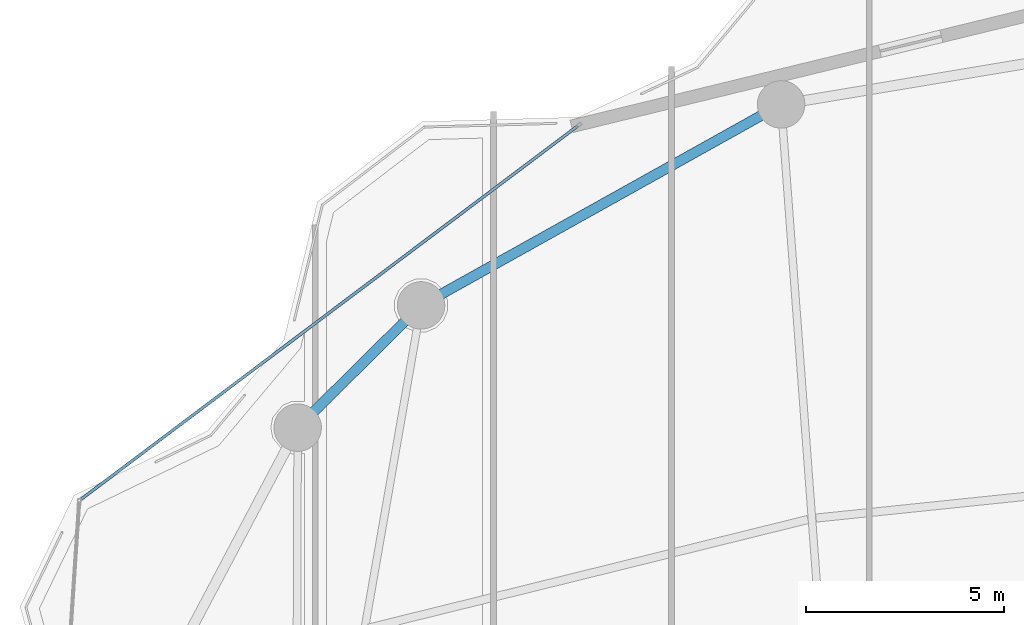
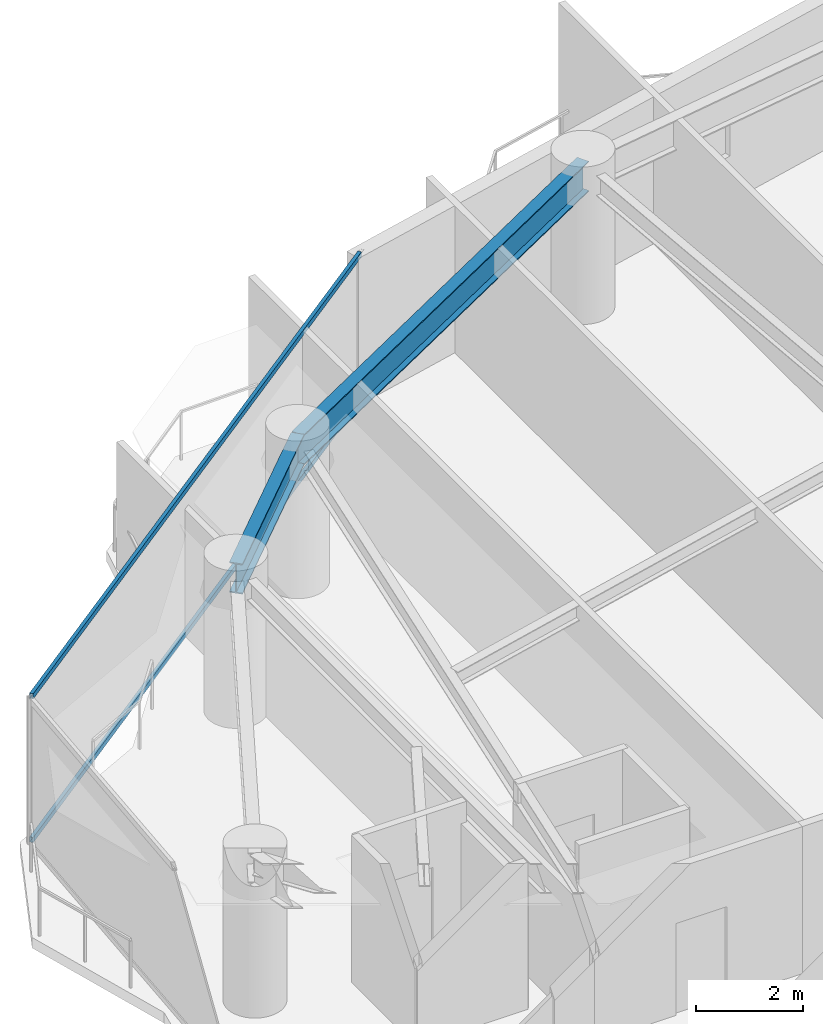
# One storey, part 17 of 30: 2 beams, 2 members, 1 element without a shape of its own.
"""IFC4 building model written with IfcOpenShell, lengths in metres."""

from ifc_helpers import new_model, si_unit, direction, frame, origin, origin_2d, place, context, subcontext, project, spatial, hollow_rectangle, i_section, extrude, material, layer, layer_set, material_profile, profile_set, type_object, element, aggregate, save


model = new_model("IFC4")

# Units and contexts
model_context = context("Model", 3, precision=1e-05, world=origin(), true_north=direction((0.0, 1.0)))
body_context = subcontext(model_context, "Body", "Model", "MODEL_VIEW")
ifc_project = project(units=[si_unit("LENGTHUNIT", "METRE"), si_unit("AREAUNIT", "SQUARE_METRE"), si_unit("VOLUMEUNIT", "CUBIC_METRE"), si_unit("PLANEANGLEUNIT", "RADIAN"), si_unit("MASSUNIT", "GRAM", prefix="KILO")], contexts=[model_context])

# Site, building, storey
site_placement = place(None, origin())
site = spatial("IfcSite", under=ifc_project, at=site_placement, CompositionType="ELEMENT")
building_placement = place(site_placement, origin())
building = spatial("IfcBuilding", under=site, at=building_placement, Name="Kazevale Care Tower and Concert Hall", CompositionType="ELEMENT")
storey_placement = place(building_placement, frame((0.0, 0.0, 127.800048828125)))
storey = spatial("IfcBuildingStorey", under=building, at=storey_placement, Name="L33", CompositionType="ELEMENT", Elevation=127.800048828125)

# Curtain wall, members
ifc_material_1 = material(Name="Aluminium 6063-T6 and Low-E Glass", Category="aluminium")
ifc_layer = layer(ifc_material_1, 0.179931640625)
ifc_layer_set = layer_set([ifc_layer], Name="Aluminium 6063-T6 and Low-E Glass")
curtain_wall_type = type_object("IfcCurtainWallType", Name="Convex Recessed Sunroom Curtain Wall CW-3", PredefinedType="NOTDEFINED", material=ifc_layer_set)
curtain_wall_placement = place(storey_placement, origin())
curtain_wall = element("IfcCurtainWall", 1, at=curtain_wall_placement, inside=storey, type_object=curtain_wall_type, Name="cw:L33:f14", PredefinedType="NOTDEFINED")
ifc_material_2 = material(Name="Aluminium 6063-T6", Category="aluminium")
ifc_material_profile_1 = material_profile(ifc_material_2, hollow_rectangle(XDim=0.074951171875, YDim=0.1201171875, WallThickness=0.00390625, at=origin_2d()), Name="ALU75x120x4")
ifc_profile_set_1 = profile_set([ifc_material_profile_1], Name="Aluminium 6063-T6")
member_type = type_object("IfcMemberType", Name="CW-3 Transom ALU75x120x4", PredefinedType="USERDEFINED", material=ifc_profile_set_1)
member_1_placement = place(storey_placement, frame((16.5888671875, 49.68994140625, 0.037353515625), z_axis=(0.79939444404, 0.600806560249, 0.0), x_axis=(-0.600806560249, 0.79939444404, 0.0)))
member_1 = element("IfcMember", 2, at=member_1_placement, type_object=member_type, Name="CW-3 transom 1.1", ObjectType="TRANSOM", PredefinedType="USERDEFINED", context=body_context, shape_type="SweptSolid", body=[
    extrude(hollow_rectangle(XDim=0.074951171875, YDim=0.1201171875, WallThickness=0.00390625, at=origin_2d()), origin(), (0.0, 0.0, 1.0), 15.685791015625),
])
member_2_placement = place(storey_placement, frame((16.5888671875, 49.68994140625, 3.322509765625), z_axis=(0.79939444404, 0.600806560249, 0.0), x_axis=(-0.600806560249, 0.79939444404, 0.0)))
member_2 = element("IfcMember", 3, at=member_2_placement, type_object=member_type, Name="CW-3 transom 1.2", ObjectType="TRANSOM", PredefinedType="USERDEFINED", context=body_context, shape_type="SweptSolid", body=[
    extrude(hollow_rectangle(XDim=0.074951171875, YDim=0.1201171875, WallThickness=0.00390625, at=origin_2d()), origin(), (0.0, 0.0, 1.0), 15.685791015625),
])
aggregate(curtain_wall, [member_1, member_2])

# Beams
ifc_material_3 = material(Name="Steel ASTM A572 Gr 50", Category="steel")
ifc_material_profile_2 = material_profile(ifc_material_3, i_section(OverallWidth=0.256103515625, OverallDepth=0.693115234375, WebThickness=0.014404296875, FlangeThickness=0.023681640625, at=origin_2d()), Name="W690x170")
ifc_profile_set_2 = profile_set([ifc_material_profile_2], Name="Steel ASTM A572 Gr 50")
beam_type = type_object("IfcBeamType", Name="Waist Ring Beam W690x170", PredefinedType="BEAM", material=ifc_profile_set_2)
beam_1_placement = place(storey_placement, frame((34.27001953125, 59.659912109375, 3.013427734375), z_axis=(-0.873168720251, -0.487418081297, 0.0), x_axis=(0.487418081297, -0.873168720251, 0.0)))
element("IfcBeam", 4, at=beam_1_placement, inside=storey, type_object=beam_type, Name="beam:L33:ring:06", PredefinedType="BEAM", context=body_context, shape_type="SweptSolid", body=[
    extrude(i_section(OverallWidth=0.256103515625, OverallDepth=0.693115234375, WebThickness=0.014404296875, FlangeThickness=0.023681640625, at=origin_2d()), origin(), (0.0, 0.0, 1.0), 10.421875),
])
beam_2_placement = place(storey_placement, frame((25.169921875, 54.580078125, 3.013427734375), z_axis=(-0.710490141585, -0.703707154085, 0.0), x_axis=(0.703707154085, -0.710490141585, 0.0)))
element("IfcBeam", 5, at=beam_2_placement, inside=storey, type_object=beam_type, Name="beam:L33:ring:07", PredefinedType="BEAM", context=body_context, shape_type="SweptSolid", body=[
    extrude(i_section(OverallWidth=0.256103515625, OverallDepth=0.693115234375, WebThickness=0.014404296875, FlangeThickness=0.023681640625, at=origin_2d()), origin(), (0.0, 0.0, 1.0), 4.39111328125),
])

save(model, "model.ifc")
